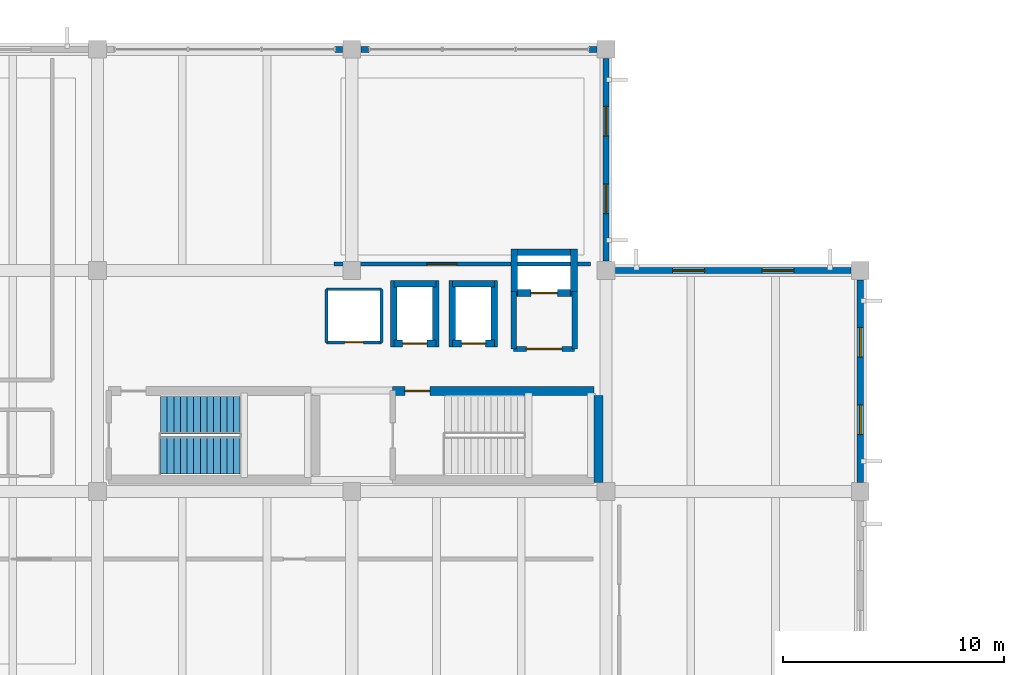
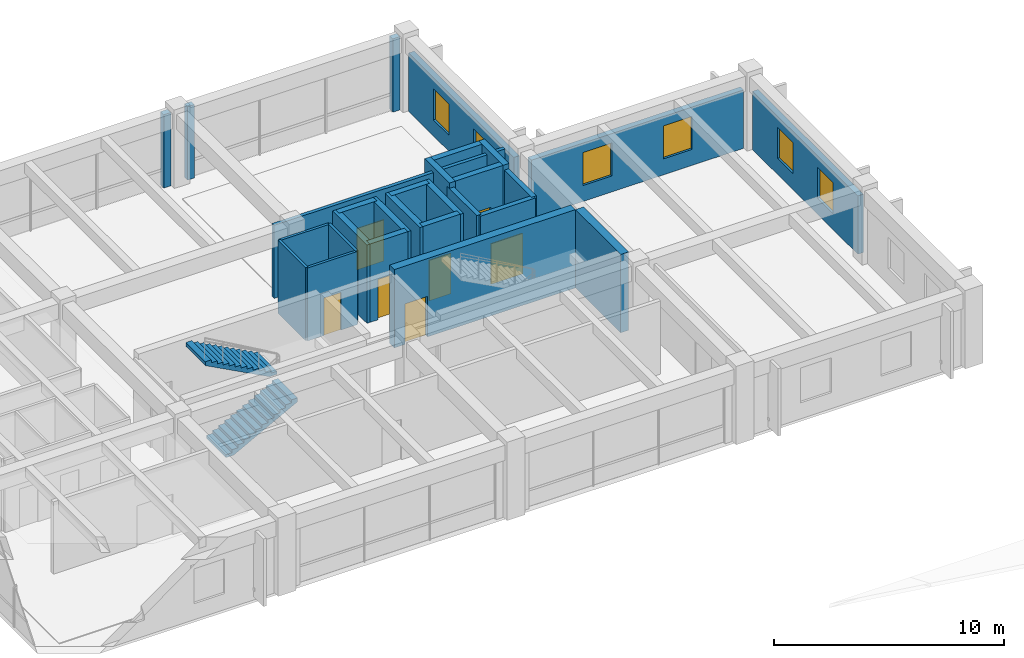
# One storey, part 29 of 33: 28 walls, 7 doors, 6 windows, 2 stair flights, 13 openings, 1 element without a shape of its own.
"""IFC4 building model written with IfcOpenShell, lengths in metres."""

import ifcopenshell
import ifcopenshell.guid

model = None  # the IFC model being written
_history = None  # IfcOwnerHistory: only IFC2X3 demands one
_inside = {}  # id of a spatial element -> (the spatial element, [elements in it])
_under = {}  # id of a project, library or spatial element -> (it, [spatial elements below it])
_declared = {}  # id of a project -> (the project, [libraries it declares])
_typed = {}  # id of a type object -> (the type object, [elements of that type])
_made_of = {}  # id of a material, layer set ... -> (it, [elements and type objects made of it])


def new_model(schema):
    """Start an empty IFC model of exactly this schema.

    Asked for "IFC4X3", IfcOpenShell would pick the latest addendum, in which some entities
    have other attributes; the version numbers below select the first issue.
    IFC2X3 requires an IfcOwnerHistory on every rooted entity: one is made here for all.
    """
    global model, _history
    if schema == "IFC4X3":
        model = ifcopenshell.file(schema_version=(4, 3, 0, 0))
    else:
        model = ifcopenshell.file(schema=schema)
    _inside.clear()
    _under.clear()
    _declared.clear()
    _typed.clear()
    _made_of.clear()
    _history = None
    if model.schema == "IFC2X3":
        org = make("IfcOrganization", Name="unknown")
        user = make(
            "IfcPersonAndOrganization",
            ThePerson=make("IfcPerson", FamilyName="unknown"),
            TheOrganization=org,
        )
        app = make(
            "IfcApplication",
            ApplicationDeveloper=org,
            Version="unknown",
            ApplicationFullName="unknown",
            ApplicationIdentifier="unknown",
        )
        _history = make(
            "IfcOwnerHistory",
            OwningUser=user,
            OwningApplication=app,
            ChangeAction="ADDED",
            CreationDate=0,
        )
    return model


def make(cls, **values):
    """One entity of the class cls with the attributes given. An attribute that is None is left unset."""
    return model.create_entity(
        cls, **{name: value for name, value in values.items() if value is not None}
    )


def rooted(cls, **values):
    """An entity with a GlobalId (a new one), such as an element, a storey or a relation."""
    return make(cls, GlobalId=ifcopenshell.guid.new(), OwnerHistory=_history, **values)


def si_unit(unit_type, name, prefix=None):
    """IfcSIUnit, for example si_unit("LENGTHUNIT", "METRE", prefix="MILLI")."""
    return make("IfcSIUnit", UnitType=unit_type, Prefix=prefix, Name=name)


def assignment(units):
    """IfcUnitAssignment: the units of a project."""
    return None if units is None else make("IfcUnitAssignment", Units=units)


def point(xyz):
    """IfcCartesianPoint."""
    return None if xyz is None else make("IfcCartesianPoint", Coordinates=xyz)


def direction(xyz):
    """IfcDirection."""
    return None if xyz is None else make("IfcDirection", DirectionRatios=xyz)


def frame(location, z_axis=None, x_axis=None):
    """IfcAxis2Placement3D, a coordinate frame: its origin and axes. An axis left out is left unset."""
    return make(
        "IfcAxis2Placement3D",
        Location=point(location),
        Axis=direction(z_axis),
        RefDirection=direction(x_axis),
    )


def frame_2d(location, x_axis=None):
    """IfcAxis2Placement2D, a coordinate frame in the plane: its origin and x axis."""
    return make(
        "IfcAxis2Placement2D", Location=point(location), RefDirection=direction(x_axis)
    )


def origin():
    """The frame at (0, 0, 0) with its axes left unset."""
    return frame((0.0, 0.0, 0.0))


def place(relative_to, where):
    """IfcLocalPlacement: puts the frame where relative to a parent placement (None: the world)."""
    return make(
        "IfcLocalPlacement", PlacementRelTo=relative_to, RelativePlacement=where
    )


def context(
    kind, dimensions, precision=None, world=None, true_north=None, identifier=None
):
    """IfcGeometricRepresentationContext, for example the 3D "Model" context."""
    return make(
        "IfcGeometricRepresentationContext",
        ContextIdentifier=identifier,
        ContextType=kind,
        CoordinateSpaceDimension=dimensions,
        Precision=precision,
        WorldCoordinateSystem=world,
        TrueNorth=true_north,
    )


def subcontext(parent, identifier, kind, view, scale=None):
    """IfcGeometricRepresentationSubContext, for example "Body" below "Model"."""
    return make(
        "IfcGeometricRepresentationSubContext",
        ContextIdentifier=identifier,
        ContextType=kind,
        ParentContext=parent,
        TargetScale=scale,
        TargetView=view,
    )


def project(units=None, contexts=None):
    """IfcProject with its units and contexts."""
    return rooted(
        "IfcProject",
        Name="project",
        RepresentationContexts=contexts,
        UnitsInContext=assignment(units),
    )


def spatial(cls, under=None, at=None, **own):
    """A site, building, storey or space (cls), placed at a placement, below another one or the project."""
    s = rooted(cls, ObjectPlacement=at, **own)
    if under is not None:
        _under.setdefault(under.id(), (under, []))[1].append(s)
    return s


def polyline(points):
    """IfcPolyline through the points."""
    return make("IfcPolyline", Points=[point(p) for p in points])


def profile(cls, at=None, kind="AREA", **sizes):
    """A parametric profile (cls). Its sizes go by their IFC names, for example OverallWidth=200.0."""
    return make(cls, ProfileType=kind, Position=at, **sizes)


def rectangle(**sizes):
    """IfcRectangleProfileDef."""
    return profile("IfcRectangleProfileDef", **sizes)


def outline(outer, holes=None, kind="AREA"):
    """IfcArbitraryClosedProfileDef: a profile drawn as a closed curve; with holes, ...WithVoids."""
    if holes is None:
        return make("IfcArbitraryClosedProfileDef", ProfileType=kind, OuterCurve=outer)
    return make(
        "IfcArbitraryProfileDefWithVoids",
        ProfileType=kind,
        OuterCurve=outer,
        InnerCurves=holes,
    )


def extrude(swept, where, along, depth):
    """IfcExtrudedAreaSolid: the profile swept, set in the frame where, extruded along a direction by depth."""
    return make(
        "IfcExtrudedAreaSolid",
        SweptArea=swept,
        Position=where,
        ExtrudedDirection=direction(along),
        Depth=depth,
    )


def shape(context_of_items, identifier, shape_type, items):
    """IfcShapeRepresentation: the items that make up one representation, for example the "Body"."""
    return make(
        "IfcShapeRepresentation",
        ContextOfItems=context_of_items,
        RepresentationIdentifier=identifier,
        RepresentationType=shape_type,
        Items=items,
    )


def material(Name=None, Category=None):
    """IfcMaterial."""
    return make("IfcMaterial", Name=Name, Category=Category)


def layer(
    of_material, thickness, ventilated=None, Name=None, Category=None, Priority=None
):
    """IfcMaterialLayer: one layer of a wall or slab, of a material (None: an air gap)."""
    return make(
        "IfcMaterialLayer",
        Material=of_material,
        LayerThickness=thickness,
        IsVentilated=ventilated,
        Name=Name,
        Category=Category,
        Priority=Priority,
    )


def layer_set(layers, Name=None):
    """IfcMaterialLayerSet."""
    return make("IfcMaterialLayerSet", MaterialLayers=layers, LayerSetName=Name)


def made_of(thing, what):
    """Note that an element or type object is made of a material, layer set ...; save() writes the relation."""
    if what is not None:
        _made_of.setdefault(what.id(), (what, []))[1].append(thing)
    return thing


def type_object(cls, material=None, **own):
    """A type object (cls), such as IfcWallType, which elements share."""
    return made_of(rooted(cls, **own), material)


def element(
    cls,
    number,
    at=None,
    inside=None,
    cuts=None,
    type_object=None,
    material=None,
    context=None,
    identifier="Body",
    shape_type=None,
    held_by="IfcProductDefinitionShape",
    body=None,
    shapes=None,
    **own,
):
    """One element of the class cls, such as IfcWall. Its Tag is "e" and its number.

    at: its placement. inside: the storey or other place that contains it. cuts: it is an
    opening in that element (IfcRelVoidsElement). A single representation is given by context,
    identifier, shape_type and body (its items); several are given by shapes. held_by: the class
    of the entity that holds the representations. save() writes the other relations.
    """
    e = rooted(cls, Tag="e%d" % number, ObjectPlacement=at, **own)
    if body is not None:
        shapes = [shape(context, identifier, shape_type, body)]
    if shapes is not None:
        e.Representation = make(held_by, Representations=shapes)
    if inside is not None:
        _inside.setdefault(inside.id(), (inside, []))[1].append(e)
    if cuts is not None:
        rooted(
            "IfcRelVoidsElement", RelatingBuildingElement=cuts, RelatedOpeningElement=e
        )
    if type_object is not None:
        _typed.setdefault(type_object.id(), (type_object, []))[1].append(e)
    return made_of(e, material)


def fill(opening, filler):
    """IfcRelFillsElement: the door or window that sits in an opening."""
    return rooted(
        "IfcRelFillsElement",
        RelatingOpeningElement=opening,
        RelatedBuildingElement=filler,
    )


def aggregate(whole, parts):
    """IfcRelAggregates: a whole, such as a stair, and the parts it consists of."""
    return rooted("IfcRelAggregates", RelatingObject=whole, RelatedObjects=parts)


def save(model, path):
    """Write the relations noted so far, then the file.

    IfcRelAggregates (storeys below a building ...), IfcRelContainedInSpatialStructure (elements
    in a storey), IfcRelDefinesByType, IfcRelAssociatesMaterial and IfcRelDeclares: one each for
    every whole, place, type object, material and project.
    """
    for whole, parts in _under.values():
        aggregate(whole, parts)
    for where, things in _inside.values():
        rooted(
            "IfcRelContainedInSpatialStructure",
            RelatedElements=things,
            RelatingStructure=where,
        )
    for kind, things in _typed.values():
        rooted("IfcRelDefinesByType", RelatedObjects=things, RelatingType=kind)
    for what, things in _made_of.values():
        rooted("IfcRelAssociatesMaterial", RelatedObjects=things, RelatingMaterial=what)
    for by, libraries in _declared.values():
        rooted("IfcRelDeclares", RelatingContext=by, RelatedDefinitions=libraries)
    model.write(path)


model = new_model("IFC4")

# Units and contexts
model_context = context("Model", 3, precision=1e-05, world=origin(), true_north=direction((0.0, 1.0)))
body_context = subcontext(model_context, "Body", "Model", "MODEL_VIEW")
ifc_project = project(units=[si_unit("LENGTHUNIT", "METRE"), si_unit("AREAUNIT", "SQUARE_METRE"), si_unit("VOLUMEUNIT", "CUBIC_METRE"), si_unit("PLANEANGLEUNIT", "RADIAN"), si_unit("MASSUNIT", "GRAM", prefix="KILO")], contexts=[model_context])

# Site, building, storey
site_placement = place(None, origin())
site = spatial("IfcSite", under=ifc_project, at=site_placement, CompositionType="ELEMENT")
building_placement = place(site_placement, origin())
building = spatial("IfcBuilding", under=site, at=building_placement, Name="Ologun Quay Terminus", CompositionType="ELEMENT")
storey_placement = place(building_placement, frame((0.0, 0.0, 18.300048828125)))
storey = spatial("IfcBuildingStorey", under=building, at=storey_placement, Name="L04", CompositionType="ELEMENT", Elevation=18.300048828125)

# Wall, opening, door
ifc_material_1 = material(Name="Concrete C40/50", Category="concrete")
ifc_layer_1 = layer(ifc_material_1, 0.39990234375)
ifc_layer_set_1 = layer_set([ifc_layer_1], Name="Concrete C40/50")
wall_type_1 = type_object("IfcWallType", Name="Coupled Wing Upper Core Shear Wall 400", PredefinedType="SHEAR", material=ifc_layer_set_1)
wall_1_placement = place(storey_placement, frame((139.85009765625, 99.35009765625, 0.0), z_axis=(0.0, 0.0, 1.0), x_axis=(1.0, 0.0, 0.0)))
wall_1 = element("IfcWall", 1, at=wall_1_placement, inside=storey, type_object=wall_type_1, Name="EC2 Core North Shear Wall L04", PredefinedType="SHEAR", context=body_context, shape_type="SweptSolid", body=[
    extrude(rectangle(XDim=9.099853515625, YDim=0.39990234375, at=frame_2d((4.5498046875, 0.0))), origin(), (0.0, 0.0, 1.0), 4.159912109375),
])
opening_1_placement = place(wall_1_placement, frame((0.550048828125, 0.0, 0.0)))
opening_1 = element("IfcOpeningElement", 2, at=opening_1_placement, cuts=wall_1, Name="Opening ID-212", PredefinedType="OPENING", context=body_context, shape_type="SweptSolid", body=[
    extrude(rectangle(XDim=1.1298828125, YDim=2.14990234375, at=frame_2d((0.56494140625, 1.074951171875))), frame((0.0, 0.2099609375, 0.0), z_axis=(0.0, -1.0, 0.0), x_axis=(1.0, 0.0, 0.0)), (0.0, 0.0, 1.0), 0.419921875),
])
ifc_material_2 = material(Name="Steel S355", Category="steel")
door_type_1 = type_object("IfcDoorType", Name="Stairwell Fire Escape Door 1130x2150", OperationType="SINGLE_SWING_LEFT", PredefinedType="DOOR", material=ifc_material_2)
door_1_placement = place(opening_1_placement, frame((0.56494140625, 0.0, 0.0), z_axis=(0.0, 0.0, 1.0), x_axis=(-1.0, 0.0, 0.0)))
door_1 = element("IfcDoor", 3, at=door_1_placement, inside=storey, type_object=door_type_1, Name="FD-01 Door ID-212", OperationType="SINGLE_SWING_LEFT", OverallHeight=2.14990234375, OverallWidth=1.1298828125, PredefinedType="DOOR", context=body_context, shape_type="SweptSolid", body=[
    extrude(rectangle(XDim=1.1298828125, YDim=2.14990234375, at=frame_2d((0.0, 1.074951171875))), frame((0.0, 0.02490234375, 0.0), z_axis=(0.0, -1.0, 0.0), x_axis=(1.0, 0.0, 0.0)), (0.0, 0.0, 1.0), 0.050048828125),
])
fill(opening_1, door_1)

# Wall
wall_2_placement = place(storey_placement, frame((149.14990234375, 95.219970703125, 0.0), z_axis=(0.0, 0.0, 1.0), x_axis=(0.0, 1.0, 0.0)))
element("IfcWall", 4, at=wall_2_placement, inside=storey, type_object=wall_type_1, Name="EC2 Core East Shear Wall L04", PredefinedType="SHEAR", context=body_context, shape_type="SweptSolid", body=[
    extrude(rectangle(XDim=3.929931640625, YDim=0.39990234375, at=frame_2d((1.96484375, 0.0))), origin(), (0.0, 0.0, 1.0), 4.159912109375),
])

# Wall, openings, windows
ifc_material_3 = material(Name="Concrete C40/50", Category="concrete")
ifc_layer_2 = layer(ifc_material_3, 0.280029296875)
ifc_layer_set_2 = layer_set([ifc_layer_2], Name="Concrete C40/50")
wall_type_2 = type_object("IfcWallType", Name="Courtyard Wing Spandrel Concrete Wall 280", PredefinedType="SOLIDWALL", material=ifc_layer_set_2)
wall_3_placement = place(storey_placement, frame((161.0, 95.219970703125, 0.0), z_axis=(0.0, 0.0, 1.0), x_axis=(0.0, 1.0, 0.0)))
wall_3 = element("IfcWall", 5, at=wall_3_placement, inside=storey, type_object=wall_type_2, Name="EW-02 Facade Wall WEW-EW-L04-6", PredefinedType="SOLIDWALL", context=body_context, shape_type="SweptSolid", body=[
    extrude(rectangle(XDim=9.159912109375, YDim=0.280029296875, at=frame_2d((4.580078125, 0.0))), origin(), (0.0, 0.0, 1.0), 3.099853515625),
])
opening_2_placement = place(wall_3_placement, frame((2.1533203125, 0.0, 0.85009765625)))
opening_2 = element("IfcOpeningElement", 6, at=opening_2_placement, cuts=wall_3, Name="Opening WN-434", PredefinedType="OPENING", context=body_context, shape_type="SweptSolid", body=[
    extrude(rectangle(XDim=1.35009765625, YDim=1.64990234375, at=frame_2d((0.675048828125, 0.824951171875))), frame((0.0, 0.14990234375, 0.0), z_axis=(0.0, -1.0, 0.0), x_axis=(1.0, 0.0, 0.0)), (0.0, 0.0, 1.0), 0.300048828125),
])
opening_3_placement = place(wall_3_placement, frame((5.65673828125, 0.0, 0.85009765625)))
opening_3 = element("IfcOpeningElement", 7, at=opening_3_placement, cuts=wall_3, Name="Opening WN-435", PredefinedType="OPENING", context=body_context, shape_type="SweptSolid", body=[
    extrude(rectangle(XDim=1.35009765625, YDim=1.64990234375, at=frame_2d((0.675048828125, 0.824951171875))), frame((0.0, 0.14990234375, 0.0), z_axis=(0.0, -1.0, 0.0), x_axis=(1.0, 0.0, 0.0)), (0.0, 0.0, 1.0), 0.300048828125),
])
ifc_material_4 = material(Name="Glass", Category="glass")
window_type_1 = type_object("IfcWindowType", Name="Medical Clinic Frosted Window 1350x1650", PartitioningType="SINGLE_PANEL", PredefinedType="WINDOW", material=ifc_material_4)
window_1_placement = place(opening_2_placement, origin())
window_1 = element("IfcWindow", 8, at=window_1_placement, inside=storey, type_object=window_type_1, Name="W-25 Window WN-434", OverallHeight=1.64990234375, OverallWidth=1.35009765625, PartitioningType="SINGLE_PANEL", PredefinedType="WINDOW", context=body_context, shape_type="SweptSolid", body=[
    extrude(rectangle(XDim=1.35009765625, YDim=1.64990234375, at=frame_2d((0.675048828125, 0.824951171875))), frame((0.0, 0.030029296875, 0.0), z_axis=(0.0, -1.0, 0.0), x_axis=(1.0, 0.0, 0.0)), (0.0, 0.0, 1.0), 0.06005859375),
])
fill(opening_2, window_1)
window_2_placement = place(opening_3_placement, origin())
window_2 = element("IfcWindow", 9, at=window_2_placement, inside=storey, type_object=window_type_1, Name="W-25 Window WN-435", OverallHeight=1.64990234375, OverallWidth=1.35009765625, PartitioningType="SINGLE_PANEL", PredefinedType="WINDOW", context=body_context, shape_type="SweptSolid", body=[
    extrude(rectangle(XDim=1.35009765625, YDim=1.64990234375, at=frame_2d((0.675048828125, 0.824951171875))), frame((0.0, 0.030029296875, 0.0), z_axis=(0.0, -1.0, 0.0), x_axis=(1.0, 0.0, 0.0)), (0.0, 0.0, 1.0), 0.06005859375),
])
fill(opening_3, window_2)

wall_4_placement = place(storey_placement, frame((149.919921875, 104.800048828125, 0.0), z_axis=(0.0, 0.0, 1.0), x_axis=(1.0, 0.0, 0.0)))
wall_4 = element("IfcWall", 10, at=wall_4_placement, inside=storey, type_object=wall_type_2, Name="EW-02 Facade Wall WEW-EW-L04-7", PredefinedType="SOLIDWALL", context=body_context, shape_type="SweptSolid", body=[
    extrude(rectangle(XDim=10.66015625, YDim=0.280029296875, at=frame_2d((5.330078125, 0.0))), origin(), (0.0, 0.0, 1.0), 3.099853515625),
])
opening_4_placement = place(wall_4_placement, frame((2.586669921875, 0.0, 0.85009765625)))
opening_4 = element("IfcOpeningElement", 11, at=opening_4_placement, cuts=wall_4, Name="Opening WN-436", PredefinedType="OPENING", context=body_context, shape_type="SweptSolid", body=[
    extrude(rectangle(XDim=1.449951171875, YDim=1.75, at=frame_2d((0.72509765625, 0.875))), frame((0.0, 0.14990234375, 0.0), z_axis=(0.0, -1.0, 0.0), x_axis=(1.0, 0.0, 0.0)), (0.0, 0.0, 1.0), 0.300048828125),
])
opening_5_placement = place(wall_4_placement, frame((6.623291015625, 0.0, 0.85009765625)))
opening_5 = element("IfcOpeningElement", 12, at=opening_5_placement, cuts=wall_4, Name="Opening WN-437", PredefinedType="OPENING", context=body_context, shape_type="SweptSolid", body=[
    extrude(rectangle(XDim=1.449951171875, YDim=1.75, at=frame_2d((0.72509765625, 0.875))), frame((0.0, 0.14990234375, 0.0), z_axis=(0.0, -1.0, 0.0), x_axis=(1.0, 0.0, 0.0)), (0.0, 0.0, 1.0), 0.300048828125),
])
ifc_material_5 = material(Name="Glass", Category="glass")
window_type_2 = type_object("IfcWindowType", Name="Simulator Suite Shaded Window 1450x1750", PartitioningType="SINGLE_PANEL", PredefinedType="WINDOW", material=ifc_material_5)
window_3_placement = place(opening_4_placement, origin())
window_3 = element("IfcWindow", 13, at=window_3_placement, inside=storey, type_object=window_type_2, Name="W-24 Window WN-436", OverallHeight=1.75, OverallWidth=1.449951171875, PartitioningType="SINGLE_PANEL", PredefinedType="WINDOW", context=body_context, shape_type="SweptSolid", body=[
    extrude(rectangle(XDim=1.449951171875, YDim=1.75, at=frame_2d((0.72509765625, 0.875))), frame((0.0, 0.030029296875, 0.0), z_axis=(0.0, -1.0, 0.0), x_axis=(1.0, 0.0, 0.0)), (0.0, 0.0, 1.0), 0.06005859375),
])
fill(opening_4, window_3)
window_4_placement = place(opening_5_placement, origin())
window_4 = element("IfcWindow", 14, at=window_4_placement, inside=storey, type_object=window_type_2, Name="W-24 Window WN-437", OverallHeight=1.75, OverallWidth=1.449951171875, PartitioningType="SINGLE_PANEL", PredefinedType="WINDOW", context=body_context, shape_type="SweptSolid", body=[
    extrude(rectangle(XDim=1.449951171875, YDim=1.75, at=frame_2d((0.72509765625, 0.875))), frame((0.0, 0.030029296875, 0.0), z_axis=(0.0, -1.0, 0.0), x_axis=(1.0, 0.0, 0.0)), (0.0, 0.0, 1.0), 0.06005859375),
])
fill(opening_5, window_4)

wall_5_placement = place(storey_placement, frame((149.5, 105.219970703125, 0.0), z_axis=(0.0, 0.0, 1.0), x_axis=(0.0, 1.0, 0.0)))
wall_5 = element("IfcWall", 15, at=wall_5_placement, inside=storey, type_object=wall_type_2, Name="EW-02 Facade Wall WEW-EW-L04-8", PredefinedType="SOLIDWALL", context=body_context, shape_type="SweptSolid", body=[
    extrude(rectangle(XDim=9.159912109375, YDim=0.280029296875, at=frame_2d((4.580078125, 0.0))), origin(), (0.0, 0.0, 1.0), 3.099853515625),
])
opening_6_placement = place(wall_5_placement, frame((2.1533203125, 0.0, 0.85009765625)))
opening_6 = element("IfcOpeningElement", 16, at=opening_6_placement, cuts=wall_5, Name="Opening WN-438", PredefinedType="OPENING", context=body_context, shape_type="SweptSolid", body=[
    extrude(rectangle(XDim=1.35009765625, YDim=1.64990234375, at=frame_2d((0.675048828125, 0.824951171875))), frame((0.0, 0.14990234375, 0.0), z_axis=(0.0, -1.0, 0.0), x_axis=(1.0, 0.0, 0.0)), (0.0, 0.0, 1.0), 0.300048828125),
])
opening_7_placement = place(wall_5_placement, frame((5.65673828125, 0.0, 0.85009765625)))
opening_7 = element("IfcOpeningElement", 17, at=opening_7_placement, cuts=wall_5, Name="Opening WN-439", PredefinedType="OPENING", context=body_context, shape_type="SweptSolid", body=[
    extrude(rectangle(XDim=1.35009765625, YDim=1.64990234375, at=frame_2d((0.675048828125, 0.824951171875))), frame((0.0, 0.14990234375, 0.0), z_axis=(0.0, -1.0, 0.0), x_axis=(1.0, 0.0, 0.0)), (0.0, 0.0, 1.0), 0.300048828125),
])
window_5_placement = place(opening_6_placement, origin())
window_5 = element("IfcWindow", 18, at=window_5_placement, inside=storey, type_object=window_type_1, Name="W-25 Window WN-438", OverallHeight=1.64990234375, OverallWidth=1.35009765625, PartitioningType="SINGLE_PANEL", PredefinedType="WINDOW", context=body_context, shape_type="SweptSolid", body=[
    extrude(rectangle(XDim=1.35009765625, YDim=1.64990234375, at=frame_2d((0.675048828125, 0.824951171875))), frame((0.0, 0.030029296875, 0.0), z_axis=(0.0, -1.0, 0.0), x_axis=(1.0, 0.0, 0.0)), (0.0, 0.0, 1.0), 0.06005859375),
])
fill(opening_6, window_5)
window_6_placement = place(opening_7_placement, origin())
window_6 = element("IfcWindow", 19, at=window_6_placement, inside=storey, type_object=window_type_1, Name="W-25 Window WN-439", OverallHeight=1.64990234375, OverallWidth=1.35009765625, PartitioningType="SINGLE_PANEL", PredefinedType="WINDOW", context=body_context, shape_type="SweptSolid", body=[
    extrude(rectangle(XDim=1.35009765625, YDim=1.64990234375, at=frame_2d((0.675048828125, 0.824951171875))), frame((0.0, 0.030029296875, 0.0), z_axis=(0.0, -1.0, 0.0), x_axis=(1.0, 0.0, 0.0)), (0.0, 0.0, 1.0), 0.06005859375),
])
fill(opening_7, window_6)

# Walls
for number, where, z_axis, x_axis, name in (
    (20, (137.22998046875, 114.800048828125, 0.0), (0.0, 0.0, 1.0), (1.0, 0.0, 0.0), "Curtain Wall Jamb Pier CW-L04-147-J2"),
    (21, (138.419921875, 114.800048828125, 0.0), (0.0, 0.0, 1.0), (1.0, 0.0, 0.0), "Curtain Wall Jamb Pier CW-L04-148-J1"),
    (22, (148.72998046875, 114.800048828125, 0.0), (0.0, 0.0, 1.0), (1.0, 0.0, 0.0), "Curtain Wall Jamb Pier CW-L04-148-J2"),
):
    element("IfcWall", number, at=place(storey_placement, frame(where, z_axis=z_axis, x_axis=x_axis)), inside=storey, type_object=wall_type_2, Name=name, PredefinedType="SOLIDWALL", context=body_context, shape_type="SweptSolid", body=[
        extrude(rectangle(XDim=0.35009765625, YDim=0.280029296875, at=frame_2d((0.175048828125, 0.0))), origin(), (0.0, 0.0, 1.0), 3.889892578125),
    ])

# Wall, opening, door
ifc_material_6 = material(Name="Concrete C40/50", Category="concrete")
ifc_layer_3 = layer(ifc_material_6, 0.239990234375)
ifc_layer_set_3 = layer_set([ifc_layer_3], Name="Concrete C40/50")
wall_type_3 = type_object("IfcWallType", Name="Fire Compartment Blockwork Wall 240", PredefinedType="SOLIDWALL", material=ifc_layer_set_3)
wall_6_placement = place(storey_placement, frame((145.320068359375, 101.25, 0.0), z_axis=(0.0, 0.0, 1.0), x_axis=(1.0, 0.0, 0.0)))
wall_6 = element("IfcWall", 23, at=wall_6_placement, inside=storey, type_object=wall_type_3, Name="PW-01 Partition EFFL-S", PredefinedType="SOLIDWALL", context=body_context, shape_type="SweptSolid", body=[
    extrude(rectangle(XDim=2.760009765625, YDim=0.239990234375, at=frame_2d((1.3798828125, 0.0))), origin(), (0.0, 0.0, 1.0), 3.8798828125),
])
opening_8_placement = place(wall_6_placement, frame((0.580078125, 0.0, 0.0)))
opening_8 = element("IfcOpeningElement", 24, at=opening_8_placement, cuts=wall_6, Name="Opening ID-213", PredefinedType="OPENING", context=body_context, shape_type="SweptSolid", body=[
    extrude(rectangle(XDim=1.60009765625, YDim=2.14990234375, at=frame_2d((0.800048828125, 1.074951171875))), frame((0.0, 0.1298828125, 0.0), z_axis=(0.0, -1.0, 0.0), x_axis=(1.0, 0.0, 0.0)), (0.0, 0.0, 1.0), 0.260009765625),
])
ifc_material_7 = material(Name="Steel S355", Category="steel")
door_type_2 = type_object("IfcDoorType", Name="Firefighting Lobby Double Smoke Door 1600x2150", OperationType="DOUBLE_DOOR_SINGLE_SWING", PredefinedType="DOOR", material=ifc_material_7)
door_2_placement = place(opening_8_placement, origin())
door_2 = element("IfcDoor", 25, at=door_2_placement, inside=storey, type_object=door_type_2, Name="FD-02 Door ID-213", OperationType="DOUBLE_DOOR_SINGLE_SWING", OverallHeight=2.14990234375, OverallWidth=1.60009765625, PredefinedType="DOOR", context=body_context, shape_type="SweptSolid", body=[
    extrude(rectangle(XDim=1.60009765625, YDim=2.14990234375, at=frame_2d((0.800048828125, 1.074951171875))), frame((0.0, 0.02490234375, 0.0), z_axis=(0.0, -1.0, 0.0), x_axis=(1.0, 0.0, 0.0)), (0.0, 0.0, 1.0), 0.050048828125),
])
fill(opening_8, door_2)

# Walls
for number, where, z_axis, x_axis, name in (
    (26, (145.320068359375, 101.25, 0.0), (0.0, 0.0, 1.0), (0.0, 1.0, 0.0), "PW-01 Partition EFFL-W"),
    (27, (148.080078125, 101.25, 0.0), (0.0, 0.0, 1.0), (0.0, 1.0, 0.0), "PW-01 Partition EFFL-E"),
):
    element("IfcWall", number, at=place(storey_placement, frame(where, z_axis=z_axis, x_axis=x_axis)), inside=storey, type_object=wall_type_3, Name=name, PredefinedType="SOLIDWALL", context=body_context, shape_type="SweptSolid", body=[
        extrude(rectangle(XDim=2.60009765625, YDim=0.239990234375, at=frame_2d((1.300048828125, 0.0))), origin(), (0.0, 0.0, 1.0), 3.8798828125),
    ])

# Wall, opening, door
ifc_material_8 = material(Name="Concrete C40/50", Category="concrete")
ifc_layer_4 = layer(ifc_material_8, 0.300048828125)
ifc_layer_set_4 = layer_set([ifc_layer_4], Name="Concrete C40/50")
wall_type_4 = type_object("IfcWallType", Name="Lift Shaft Structural Shear Wall 300", PredefinedType="SHEAR", material=ifc_layer_set_4)
wall_7_placement = place(storey_placement, frame((145.35009765625, 103.780029296875, 0.0), z_axis=(0.0, 0.0, 1.0), x_axis=(1.0, 0.0, 0.0)))
wall_7 = element("IfcWall", 28, at=wall_7_placement, inside=storey, type_object=wall_type_4, Name="Lift FFL-02 Shaft Wall S L04", PredefinedType="SHEAR", context=body_context, shape_type="SweptSolid", body=[
    extrude(rectangle(XDim=2.699951171875, YDim=0.300048828125, at=frame_2d((1.35009765625, 0.0))), origin(), (0.0, 0.0, 1.0), 4.159912109375),
])
opening_9_placement = place(wall_7_placement, frame((0.75, 0.0, 0.0)))
opening_9 = element("IfcOpeningElement", 29, at=opening_9_placement, cuts=wall_7, Name="Opening ID-014", PredefinedType="OPENING", context=body_context, shape_type="SweptSolid", body=[
    extrude(rectangle(XDim=1.199951171875, YDim=2.14990234375, at=frame_2d((0.60009765625, 1.074951171875))), frame((0.0, 0.16015625, 0.0), z_axis=(0.0, -1.0, 0.0), x_axis=(1.0, 0.0, 0.0)), (0.0, 0.0, 1.0), 0.320068359375),
])
ifc_material_9 = material(Name="Steel S355", Category="steel")
door_type_3 = type_object("IfcDoorType", Name="Firefighting Lift Landing Sliding Door 1200x2150", OperationType="SLIDING_TO_RIGHT", PredefinedType="DOOR", material=ifc_material_9)
door_3_placement = place(opening_9_placement, origin())
door_3 = element("IfcDoor", 30, at=door_3_placement, inside=storey, type_object=door_type_3, Name="LD-02 Door ID-014", OperationType="SLIDING_TO_RIGHT", OverallHeight=2.14990234375, OverallWidth=1.199951171875, PredefinedType="DOOR", context=body_context, shape_type="SweptSolid", body=[
    extrude(rectangle(XDim=1.199951171875, YDim=2.14990234375, at=frame_2d((0.60009765625, 1.074951171875))), frame((0.0, 0.02490234375, 0.0), z_axis=(0.0, -1.0, 0.0), x_axis=(1.0, 0.0, 0.0)), (0.0, 0.0, 1.0), 0.050048828125),
])
fill(opening_9, door_3)

# Walls
wall_8_placement = place(storey_placement, frame((145.35009765625, 105.6201171875, 0.0), z_axis=(0.0, 0.0, 1.0), x_axis=(1.0, 0.0, 0.0)))
element("IfcWall", 31, at=wall_8_placement, inside=storey, type_object=wall_type_4, Name="Lift FFL-02 Shaft Wall N L04", PredefinedType="SHEAR", context=body_context, shape_type="SweptSolid", body=[
    extrude(rectangle(XDim=2.699951171875, YDim=0.300048828125, at=frame_2d((1.35009765625, 0.0))), origin(), (0.0, 0.0, 1.0), 4.159912109375),
])
for number, where, z_axis, x_axis, name in (
    (32, (145.35009765625, 103.6298828125, 0.0), (0.0, 0.0, 1.0), (0.0, 1.0, 0.0), "Lift FFL-02 Shaft Wall W L04"),
    (33, (148.050048828125, 103.6298828125, 0.0), (0.0, 0.0, 1.0), (0.0, 1.0, 0.0), "Lift FFL-02 Shaft Wall E L04"),
):
    element("IfcWall", number, at=place(storey_placement, frame(where, z_axis=z_axis, x_axis=x_axis)), inside=storey, type_object=wall_type_4, Name=name, PredefinedType="SHEAR", context=body_context, shape_type="SweptSolid", body=[
        extrude(rectangle(XDim=2.14013671875, YDim=0.300048828125, at=frame_2d((1.070068359375, 0.0))), origin(), (0.0, 0.0, 1.0), 4.159912109375),
    ])

# Wall, opening, door
wall_9_placement = place(storey_placement, frame((139.89990234375, 101.5, 0.0), z_axis=(0.0, 0.0, 1.0), x_axis=(1.0, 0.0, 0.0)))
wall_9 = element("IfcWall", 34, at=wall_9_placement, inside=storey, type_object=wall_type_4, Name="Lift PL-E1 Shaft Wall S L04", PredefinedType="SHEAR", context=body_context, shape_type="SweptSolid", body=[
    extrude(rectangle(XDim=1.900146484375, YDim=0.300048828125, at=frame_2d((0.9501953125, 0.0))), origin(), (0.0, 0.0, 1.0), 4.159912109375),
])
opening_10_placement = place(wall_9_placement, frame((0.39990234375, 0.0, 0.0)))
opening_10 = element("IfcOpeningElement", 35, at=opening_10_placement, cuts=wall_9, Name="Opening ID-036", PredefinedType="OPENING", context=body_context, shape_type="SweptSolid", body=[
    extrude(rectangle(XDim=1.10009765625, YDim=2.14990234375, at=frame_2d((0.550048828125, 1.074951171875))), frame((0.0, 0.16015625, 0.0), z_axis=(0.0, -1.0, 0.0), x_axis=(1.0, 0.0, 0.0)), (0.0, 0.0, 1.0), 0.320068359375),
])
ifc_material_10 = material(Name="Steel S355", Category="steel")
door_type_4 = type_object("IfcDoorType", Name="Lift Landing Sliding Door 1100x2150", OperationType="SLIDING_TO_LEFT", PredefinedType="DOOR", material=ifc_material_10)
door_4_placement = place(opening_10_placement, origin())
door_4 = element("IfcDoor", 36, at=door_4_placement, inside=storey, type_object=door_type_4, Name="LD-01 Door ID-036", OperationType="SLIDING_TO_LEFT", OverallHeight=2.14990234375, OverallWidth=1.10009765625, PredefinedType="DOOR", context=body_context, shape_type="SweptSolid", body=[
    extrude(rectangle(XDim=1.10009765625, YDim=2.14990234375, at=frame_2d((0.550048828125, 1.074951171875))), frame((0.0, 0.02490234375, 0.0), z_axis=(0.0, -1.0, 0.0), x_axis=(1.0, 0.0, 0.0)), (0.0, 0.0, 1.0), 0.050048828125),
])
fill(opening_10, door_4)

# Walls
wall_10_placement = place(storey_placement, frame((139.89990234375, 104.199951171875, 0.0), z_axis=(0.0, 0.0, 1.0), x_axis=(1.0, 0.0, 0.0)))
element("IfcWall", 37, at=wall_10_placement, inside=storey, type_object=wall_type_4, Name="Lift PL-E1 Shaft Wall N L04", PredefinedType="SHEAR", context=body_context, shape_type="SweptSolid", body=[
    extrude(rectangle(XDim=1.900146484375, YDim=0.300048828125, at=frame_2d((0.9501953125, 0.0))), origin(), (0.0, 0.0, 1.0), 4.159912109375),
])
for number, where, z_axis, x_axis, name in (
    (38, (139.89990234375, 101.35009765625, 0.0), (0.0, 0.0, 1.0), (0.0, 1.0, 0.0), "Lift PL-E1 Shaft Wall W L04"),
    (39, (141.800048828125, 101.35009765625, 0.0), (0.0, 0.0, 1.0), (0.0, 1.0, 0.0), "Lift PL-E1 Shaft Wall E L04"),
):
    element("IfcWall", number, at=place(storey_placement, frame(where, z_axis=z_axis, x_axis=x_axis)), inside=storey, type_object=wall_type_4, Name=name, PredefinedType="SHEAR", context=body_context, shape_type="SweptSolid", body=[
        extrude(rectangle(XDim=3.0, YDim=0.300048828125, at=frame_2d((1.5, 0.0))), origin(), (0.0, 0.0, 1.0), 4.159912109375),
    ])

# Wall, opening, door
wall_11_placement = place(storey_placement, frame((142.550048828125, 101.5, 0.0), z_axis=(0.0, 0.0, 1.0), x_axis=(1.0, 0.0, 0.0)))
wall_11 = element("IfcWall", 40, at=wall_11_placement, inside=storey, type_object=wall_type_4, Name="Lift PL-E2 Shaft Wall S L04", PredefinedType="SHEAR", context=body_context, shape_type="SweptSolid", body=[
    extrude(rectangle(XDim=1.89990234375, YDim=0.300048828125, at=frame_2d((0.949951171875, 0.0))), origin(), (0.0, 0.0, 1.0), 4.159912109375),
])
opening_11_placement = place(wall_11_placement, frame((0.39990234375, 0.0, 0.0)))
opening_11 = element("IfcOpeningElement", 41, at=opening_11_placement, cuts=wall_11, Name="Opening ID-044", PredefinedType="OPENING", context=body_context, shape_type="SweptSolid", body=[
    extrude(rectangle(XDim=1.10009765625, YDim=2.14990234375, at=frame_2d((0.550048828125, 1.074951171875))), frame((0.0, 0.16015625, 0.0), z_axis=(0.0, -1.0, 0.0), x_axis=(1.0, 0.0, 0.0)), (0.0, 0.0, 1.0), 0.320068359375),
])
door_5_placement = place(opening_11_placement, origin())
door_5 = element("IfcDoor", 42, at=door_5_placement, inside=storey, type_object=door_type_4, Name="LD-01 Door ID-044", OperationType="SLIDING_TO_LEFT", OverallHeight=2.14990234375, OverallWidth=1.10009765625, PredefinedType="DOOR", context=body_context, shape_type="SweptSolid", body=[
    extrude(rectangle(XDim=1.10009765625, YDim=2.14990234375, at=frame_2d((0.550048828125, 1.074951171875))), frame((0.0, 0.02490234375, 0.0), z_axis=(0.0, -1.0, 0.0), x_axis=(1.0, 0.0, 0.0)), (0.0, 0.0, 1.0), 0.050048828125),
])
fill(opening_11, door_5)

# Walls
wall_12_placement = place(storey_placement, frame((142.550048828125, 104.199951171875, 0.0), z_axis=(0.0, 0.0, 1.0), x_axis=(1.0, 0.0, 0.0)))
element("IfcWall", 43, at=wall_12_placement, inside=storey, type_object=wall_type_4, Name="Lift PL-E2 Shaft Wall N L04", PredefinedType="SHEAR", context=body_context, shape_type="SweptSolid", body=[
    extrude(rectangle(XDim=1.89990234375, YDim=0.300048828125, at=frame_2d((0.949951171875, 0.0))), origin(), (0.0, 0.0, 1.0), 4.159912109375),
])
for number, where, z_axis, x_axis, name in (
    (44, (142.550048828125, 101.35009765625, 0.0), (0.0, 0.0, 1.0), (0.0, 1.0, 0.0), "Lift PL-E2 Shaft Wall W L04"),
    (45, (144.449951171875, 101.35009765625, 0.0), (0.0, 0.0, 1.0), (0.0, 1.0, 0.0), "Lift PL-E2 Shaft Wall E L04"),
):
    element("IfcWall", number, at=place(storey_placement, frame(where, z_axis=z_axis, x_axis=x_axis)), inside=storey, type_object=wall_type_4, Name=name, PredefinedType="SHEAR", context=body_context, shape_type="SweptSolid", body=[
        extrude(rectangle(XDim=3.0, YDim=0.300048828125, at=frame_2d((1.5, 0.0))), origin(), (0.0, 0.0, 1.0), 4.159912109375),
    ])

# Wall, opening, door
ifc_material_11 = material(Name="Gypsum Acoustic Stud")
ifc_layer_5 = layer(ifc_material_11, 0.175048828125)
ifc_layer_set_5 = layer_set([ifc_layer_5], Name="Gypsum Acoustic Stud")
wall_type_5 = type_object("IfcWallType", Name="Operations & Control Acoustic Partition 175", PredefinedType="PARTITIONING", material=ifc_layer_set_5)
wall_13_placement = place(storey_placement, frame((137.199951171875, 105.10009765625, 0.0), z_axis=(0.0, 0.0, 1.0), x_axis=(1.0, 0.0, 0.0)))
wall_13 = element("IfcWall", 46, at=wall_13_placement, inside=storey, type_object=wall_type_5, Name="PW-03 Partition L04-Simulator-S", PredefinedType="PARTITIONING", context=body_context, shape_type="SweptSolid", body=[
    extrude(rectangle(XDim=11.60009765625, YDim=0.175048828125, at=frame_2d((5.800048828125, 0.0))), origin(), (0.0, 0.0, 1.0), 3.8798828125),
])
opening_12_placement = place(wall_13_placement, frame((4.199951171875, 0.0, 0.0)))
opening_12 = element("IfcOpeningElement", 47, at=opening_12_placement, cuts=wall_13, Name="Opening ID-335", PredefinedType="OPENING", context=body_context, shape_type="SweptSolid", body=[
    extrude(rectangle(XDim=1.35009765625, YDim=2.199951171875, at=frame_2d((0.675048828125, 1.10009765625))), frame((0.0, 0.09765625, 0.0), z_axis=(0.0, -1.0, 0.0), x_axis=(1.0, 0.0, 0.0)), (0.0, 0.0, 1.0), 0.195068359375),
])
ifc_material_12 = material(Name="Timber Hardwood", Category="wood")
door_type_5 = type_object("IfcDoorType", Name="Simulator Suite Acoustic Door 1350x2200", OperationType="SINGLE_SWING_LEFT", PredefinedType="DOOR", material=ifc_material_12)
door_6_placement = place(opening_12_placement, origin())
door_6 = element("IfcDoor", 48, at=door_6_placement, inside=storey, type_object=door_type_5, Name="ID-14 Door ID-335", OperationType="SINGLE_SWING_LEFT", OverallHeight=2.199951171875, OverallWidth=1.35009765625, PredefinedType="DOOR", context=body_context, shape_type="SweptSolid", body=[
    extrude(rectangle(XDim=1.35009765625, YDim=2.199951171875, at=frame_2d((0.675048828125, 1.10009765625))), frame((0.0, 0.02490234375, 0.0), z_axis=(0.0, -1.0, 0.0), x_axis=(1.0, 0.0, 0.0)), (0.0, 0.0, 1.0), 0.050048828125),
])
fill(opening_12, door_6)

ifc_material_13 = material(Name="Concrete C40/50", Category="concrete")
ifc_layer_6 = layer(ifc_material_13, 0.1298828125)
ifc_layer_set_6 = layer_set([ifc_layer_6], Name="Concrete C40/50")
wall_type_6 = type_object("IfcWallType", Name="Riser & Service Duct Wall 130", PredefinedType="PLUMBINGWALL", material=ifc_layer_set_6)
wall_14_placement = place(storey_placement, frame((136.85009765625, 101.550048828125, 0.0), z_axis=(0.0, 0.0, 1.0), x_axis=(1.0, 0.0, 0.0)))
wall_14 = element("IfcWall", 49, at=wall_14_placement, inside=storey, type_object=wall_type_6, Name="PW-07 Partition ERiser-S", PredefinedType="PLUMBINGWALL", context=body_context, shape_type="SweptSolid", body=[
    extrude(rectangle(XDim=2.5, YDim=0.1298828125, at=frame_2d((1.25, 0.0))), origin(), (0.0, 0.0, 1.0), 3.8798828125),
])
opening_13_placement = place(wall_14_placement, frame((0.820068359375, 0.0, 0.0)))
opening_13 = element("IfcOpeningElement", 50, at=opening_13_placement, cuts=wall_14, Name="Opening ID-214", PredefinedType="OPENING", context=body_context, shape_type="SweptSolid", body=[
    extrude(rectangle(XDim=0.85009765625, YDim=2.0, at=frame_2d((0.425048828125, 1.0))), frame((0.0, 0.074951171875, 0.0), z_axis=(0.0, -1.0, 0.0), x_axis=(1.0, 0.0, 0.0)), (0.0, 0.0, 1.0), 0.14990234375),
])
ifc_material_14 = material(Name="Steel S355", Category="steel")
door_type_6 = type_object("IfcDoorType", Name="MEP Riser Access Trapdoor 850x2000", OperationType="SINGLE_SWING_LEFT", PredefinedType="TRAPDOOR", material=ifc_material_14)
door_7_placement = place(opening_13_placement, origin())
door_7 = element("IfcDoor", 51, at=door_7_placement, inside=storey, type_object=door_type_6, Name="RD-01 Door ID-214", OperationType="SINGLE_SWING_LEFT", OverallHeight=2.0, OverallWidth=0.85009765625, PredefinedType="TRAPDOOR", context=body_context, shape_type="SweptSolid", body=[
    extrude(rectangle(XDim=0.85009765625, YDim=2.0, at=frame_2d((0.425048828125, 1.0))), frame((0.0, 0.02490234375, 0.0), z_axis=(0.0, -1.0, 0.0), x_axis=(1.0, 0.0, 0.0)), (0.0, 0.0, 1.0), 0.050048828125),
])
fill(opening_13, door_7)

# Walls
for number, where, z_axis, x_axis, name in (
    (52, (136.85009765625, 101.550048828125, 0.0), (0.0, 0.0, 1.0), (0.0, 1.0, 0.0), "PW-07 Partition ERiser-W"),
    (53, (139.35009765625, 101.550048828125, 0.0), (0.0, 0.0, 1.0), (0.0, 1.0, 0.0), "PW-07 Partition ERiser-E"),
):
    element("IfcWall", number, at=place(storey_placement, frame(where, z_axis=z_axis, x_axis=x_axis)), inside=storey, type_object=wall_type_6, Name=name, PredefinedType="PLUMBINGWALL", context=body_context, shape_type="SweptSolid", body=[
        extrude(rectangle(XDim=2.39990234375, YDim=0.1298828125, at=frame_2d((1.199951171875, 0.0))), origin(), (0.0, 0.0, 1.0), 3.8798828125),
    ])
wall_15_placement = place(storey_placement, frame((136.85009765625, 103.949951171875, 0.0), z_axis=(0.0, 0.0, 1.0), x_axis=(1.0, 0.0, 0.0)))
element("IfcWall", 54, at=wall_15_placement, inside=storey, type_object=wall_type_6, Name="PW-07 Partition ERiser-N", PredefinedType="PLUMBINGWALL", context=body_context, shape_type="SweptSolid", body=[
    extrude(rectangle(XDim=2.5, YDim=0.1298828125, at=frame_2d((1.25, 0.0))), origin(), (0.0, 0.0, 1.0), 3.8798828125),
])

# Stair, stair flights
ifc_material_15 = material(Name="Concrete C40/50", Category="concrete")
stair_type = type_object("IfcStairType", Name="Courtyard Wing Upper Core Stair 1700", PredefinedType="HALF_TURN_STAIR", material=ifc_material_15)
stair_placement = place(storey_placement, origin())
stair = element("IfcStair", 55, at=stair_placement, inside=storey, type_object=stair_type, Name="ST-E1 Stair L04", PredefinedType="HALF_TURN_STAIR")
ifc_material_16 = material(Name="Concrete C40/50", Category="concrete")
stair_flight_type = type_object("IfcStairFlightType", Name="Courtyard Wing Precast Concrete Stair Flight 1700", PredefinedType="STRAIGHT", material=ifc_material_16)
stair_flight_1_placement = place(storey_placement, frame((129.35009765625, 96.449951171875, 0.0), z_axis=(0.0, 0.0, 1.0), x_axis=(1.0, 0.0, 0.0)))
stair_flight_1 = element("IfcStairFlight", 56, at=stair_flight_1_placement, type_object=stair_flight_type, Name="ST-E1 Lower Flight L04", NumberOfRisers=13, NumberOfTreads=12, PredefinedType="STRAIGHT", RiserHeight=0.16, TreadLength=0.3, context=body_context, shape_type="SweptSolid", body=[
    extrude(outline(polyline([(0.0, 0.0), (0.0, 0.159912109375), (0.300048828125, 0.159912109375), (0.300048828125, 0.320068359375), (0.60009765625, 0.320068359375), (0.60009765625, 0.47998046875), (0.89990234375, 0.47998046875), (0.89990234375, 0.639892578125), (1.199951171875, 0.639892578125), (1.199951171875, 0.800048828125), (1.5, 0.800048828125), (1.5, 0.9599609375), (1.800048828125, 0.9599609375), (1.800048828125, 1.1201171875), (2.10009765625, 1.1201171875), (2.10009765625, 1.280029296875), (2.39990234375, 1.280029296875), (2.39990234375, 1.43994140625), (2.699951171875, 1.43994140625), (2.699951171875, 1.60009765625), (3.0, 1.60009765625), (3.0, 1.760009765625), (3.300048828125, 1.760009765625), (3.300048828125, 1.919921875), (3.60009765625, 1.919921875), (3.60009765625, 2.080078125), (3.60009765625, 1.716064453125), (0.38232421875, 0.0), (0.0, 0.0)])), frame((0.0, 0.85009765625, 0.0), z_axis=(0.0, -1.0, 0.0), x_axis=(1.0, 0.0, 0.0)), (0.0, 0.0, 1.0), 1.699951171875),
])
stair_flight_2_placement = place(storey_placement, frame((132.949951171875, 98.25, 2.079833984375), z_axis=(0.0, 0.0, 1.0), x_axis=(-1.0, 0.0, 0.0)))
stair_flight_2 = element("IfcStairFlight", 57, at=stair_flight_2_placement, type_object=stair_flight_type, Name="ST-E1 Upper Flight L04", NumberOfRisers=13, NumberOfTreads=12, PredefinedType="STRAIGHT", RiserHeight=0.16, TreadLength=0.3, context=body_context, shape_type="SweptSolid", body=[
    extrude(outline(polyline([(0.0, 0.0), (0.0, 0.159912109375), (0.300048828125, 0.159912109375), (0.300048828125, 0.320068359375), (0.60009765625, 0.320068359375), (0.60009765625, 0.47998046875), (0.89990234375, 0.47998046875), (0.89990234375, 0.639892578125), (1.199951171875, 0.639892578125), (1.199951171875, 0.800048828125), (1.5, 0.800048828125), (1.5, 0.9599609375), (1.800048828125, 0.9599609375), (1.800048828125, 1.1201171875), (2.10009765625, 1.1201171875), (2.10009765625, 1.280029296875), (2.39990234375, 1.280029296875), (2.39990234375, 1.43994140625), (2.699951171875, 1.43994140625), (2.699951171875, 1.60009765625), (3.0, 1.60009765625), (3.0, 1.760009765625), (3.300048828125, 1.760009765625), (3.300048828125, 1.919921875), (3.60009765625, 1.919921875), (3.60009765625, 2.080078125), (3.60009765625, 1.716064453125), (0.38232421875, 0.0), (0.0, 0.0)])), frame((0.0, 0.85009765625, 0.0), z_axis=(0.0, -1.0, 0.0), x_axis=(1.0, 0.0, 0.0)), (0.0, 0.0, 1.0), 1.699951171875),
])
aggregate(stair, [stair_flight_1, stair_flight_2])

save(model, "model.ifc")
